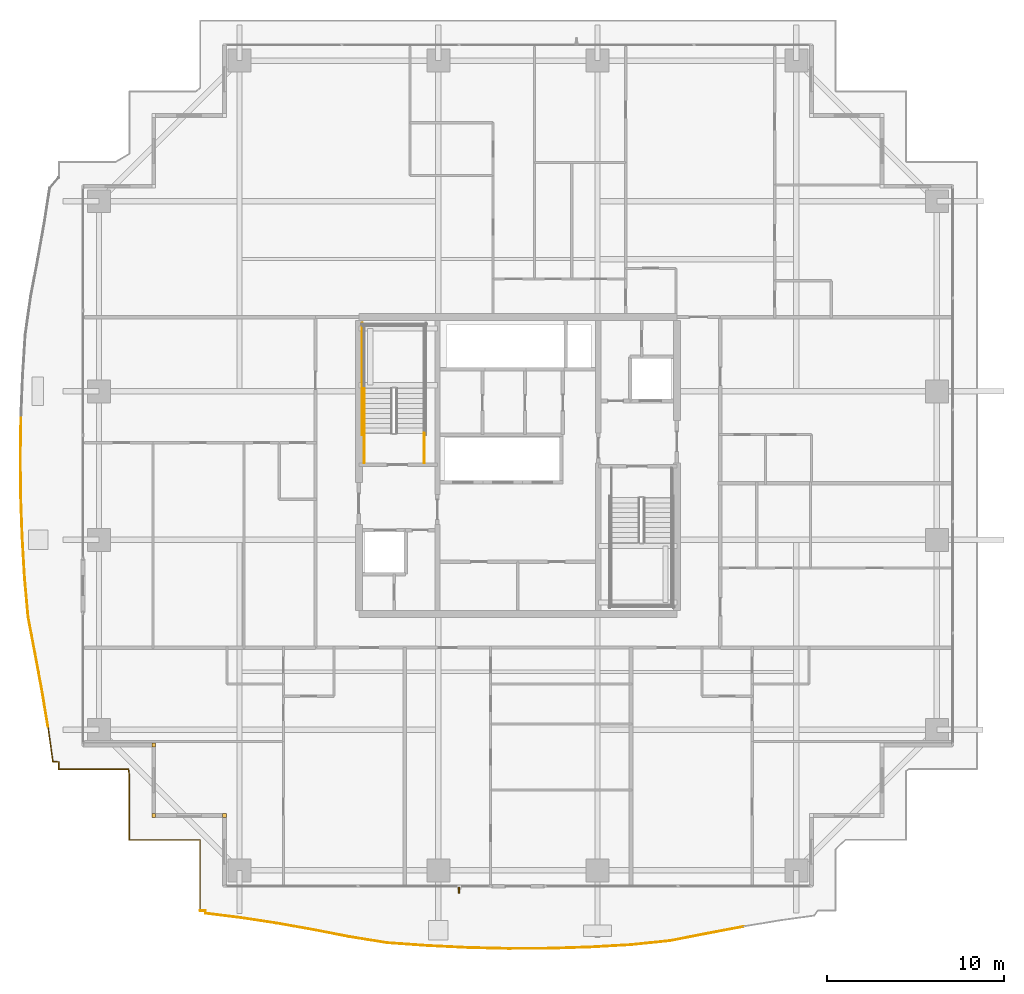
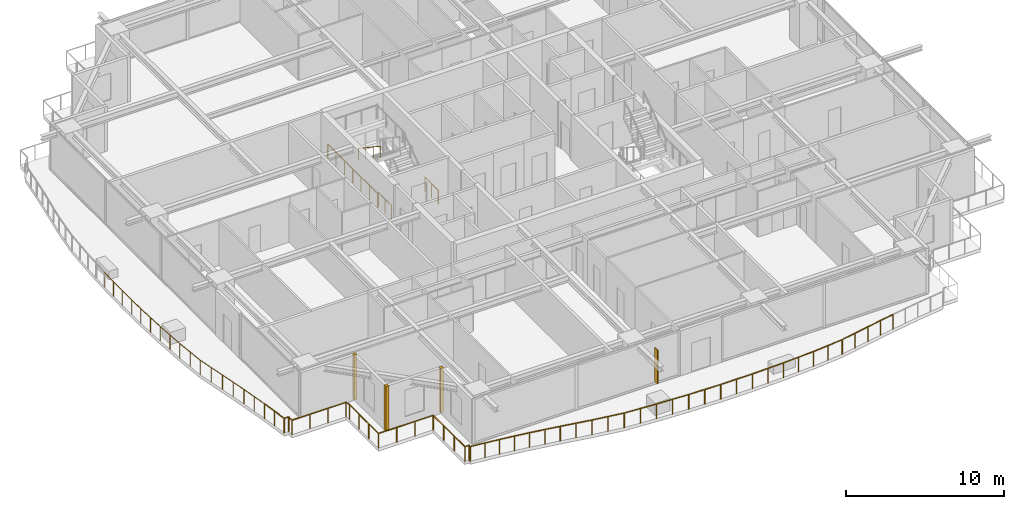
# One storey, part 30 of 35: 8 railings, 3 coverings, 1 shading device.
"""IFC4 building model written with IfcOpenShell, lengths in metres."""

from ifc_helpers import new_model, si_unit, direction, frame, origin, origin_2d, place, context, subcontext, project, spatial, rectangle, circle, extrude, source, transform, mapped, material, layer, layer_set, type_object, element, save


model = new_model("IFC4")

# Units and contexts
model_context = context("Model", 3, precision=1e-05, world=origin(), true_north=direction((0.0, 1.0)))
body_context = subcontext(model_context, "Body", "Model", "MODEL_VIEW")
ifc_project = project(units=[si_unit("LENGTHUNIT", "METRE"), si_unit("AREAUNIT", "SQUARE_METRE"), si_unit("VOLUMEUNIT", "CUBIC_METRE"), si_unit("PLANEANGLEUNIT", "RADIAN"), si_unit("MASSUNIT", "GRAM", prefix="KILO")], contexts=[model_context])

# Site, building, storey
site_placement = place(None, origin())
site = spatial("IfcSite", under=ifc_project, at=site_placement, CompositionType="ELEMENT")
building_placement = place(site_placement, origin())
building = spatial("IfcBuilding", under=site, at=building_placement, Name="Serunith Strait Residences", CompositionType="ELEMENT")
storey_placement = place(building_placement, frame((0.0, 0.0, 157.64990234375)))
storey = spatial("IfcBuildingStorey", under=building, at=storey_placement, Name="L39", CompositionType="ELEMENT", Elevation=157.64990234375)

# Railings
ifc_material_1 = material(Name="Stainless Steel & Laminated Glass Balustrade", Category="steel")
railing_type_1 = type_object("IfcRailingType", Name="RLG-BALC-1150", PredefinedType="BALUSTRADE", material=ifc_material_1)
railing_1_placement = place(storey_placement, frame((14.419921875, 0.02001953125, -0.0498046875)))
element("IfcRailing", 1, at=railing_1_placement, inside=storey, type_object=railing_type_1, Name="L39 Swirling Balcony Perimeter Balustrade 1", PredefinedType="BALUSTRADE", context=body_context, shape_type="SweptSolid", body=[
    extrude(circle(Radius=0.02392578125, at=origin_2d()), frame((0.0, 0.001953125, 1.1259765625), z_axis=(0.0, 1.0, 0.0), x_axis=(-1.0, 0.0, 0.0)), (0.0, 0.0, 1.0), 3.99609375),
    extrude(circle(Radius=0.02392578125, at=origin_2d()), frame((-0.001953125, 4.0, 1.1259765625), z_axis=(-1.0, 0.0, 0.0), x_axis=(0.0, -1.0, 0.0)), (0.0, 0.0, 1.0), 3.99609375),
    extrude(circle(Radius=0.02392578125, at=origin_2d()), frame((-4.0, 4.001953125, 1.1259765625), z_axis=(0.0, 1.0, 0.0), x_axis=(-1.0, 0.0, 0.0)), (0.0, 0.0, 1.0), 3.658935546875),
    extrude(circle(Radius=0.02392578125, at=origin_2d()), frame((-4.000244140625, 7.664794921875, 1.1259765625), z_axis=(-0.145432115304, 0.989368232681, 0.0), x_axis=(-0.989368232681, -0.145432115304, 0.0)), (0.0, 0.0, 1.0), 0.336669921875),
    extrude(circle(Radius=0.02392578125, at=origin_2d()), frame((-4.051513671875, 8.0, 1.1259765625), z_axis=(-1.0, 0.0, 0.0), x_axis=(0.0, -1.0, 0.0)), (0.0, 0.0, 1.0), 3.946533203125),
    extrude(circle(Radius=0.02392578125, at=origin_2d()), frame((-8.0, 8.001953125, 1.1259765625), z_axis=(0.0, 1.0, 0.0), x_axis=(-1.0, 0.0, 0.0)), (0.0, 0.0, 1.0), 0.40478515625),
    extrude(circle(Radius=0.02392578125, at=origin_2d()), frame((-8.001953125, 8.40869140625, 1.1259765625), z_axis=(-0.998376209742, 0.056964408364, 0.0), x_axis=(-0.056964408364, -0.998376209742, 0.0)), (0.0, 0.0, 1.0), 0.32177734375),
    extrude(circle(Radius=0.02392578125, at=origin_2d()), frame((-8.325439453125, 8.42919921875, 1.1259765625), z_axis=(-0.138325555221, 0.990386813711, 0.0), x_axis=(-0.990386813711, -0.138325555221, 0.0)), (0.0, 0.0, 1.0), 2.016845703125),
    extrude(circle(Radius=0.02099609375, at=origin_2d()), origin(), (0.0, 0.0, 1.0), 1.099853515625),
    extrude(circle(Radius=0.02099609375, at=origin_2d()), frame((0.0, 1.333251953125, 0.0)), (0.0, 0.0, 1.0), 1.099853515625),
    extrude(circle(Radius=0.02099609375, at=origin_2d()), frame((0.0, 2.666748046875, 0.0)), (0.0, 0.0, 1.0), 1.099853515625),
    extrude(circle(Radius=0.02099609375, at=origin_2d()), frame((0.0, 4.0, 0.0)), (0.0, 0.0, 1.0), 1.099853515625),
    extrude(circle(Radius=0.02099609375, at=origin_2d()), frame((-1.333251953125, 4.0, 0.0)), (0.0, 0.0, 1.0), 1.099853515625),
    extrude(circle(Radius=0.02099609375, at=origin_2d()), frame((-2.666748046875, 4.0, 0.0)), (0.0, 0.0, 1.0), 1.099853515625),
    extrude(circle(Radius=0.02099609375, at=origin_2d()), frame((-4.0, 4.0, 0.0)), (0.0, 0.0, 1.0), 1.099853515625),
    extrude(circle(Radius=0.02099609375, at=origin_2d()), frame((-4.0, 5.220947265625, 0.0)), (0.0, 0.0, 1.0), 1.099853515625),
    extrude(circle(Radius=0.02099609375, at=origin_2d()), frame((-4.0, 6.44189453125, 0.0)), (0.0, 0.0, 1.0), 1.099853515625),
    extrude(circle(Radius=0.02099609375, at=origin_2d()), frame((-4.0, 7.662841796875, 0.0)), (0.0, 0.0, 1.0), 1.099853515625),
    extrude(circle(Radius=0.02099609375, at=origin_2d()), frame((-4.049560546875, 8.0, 0.0)), (0.0, 0.0, 1.0), 1.099853515625),
    extrude(circle(Radius=0.02099609375, at=origin_2d()), frame((-5.366455078125, 8.0, 0.0)), (0.0, 0.0, 1.0), 1.099853515625),
    extrude(circle(Radius=0.02099609375, at=origin_2d()), frame((-6.68310546875, 8.0, 0.0)), (0.0, 0.0, 1.0), 1.099853515625),
    extrude(circle(Radius=0.02099609375, at=origin_2d()), frame((-8.0, 8.0, 0.0)), (0.0, 0.0, 1.0), 1.099853515625),
    extrude(circle(Radius=0.02099609375, at=origin_2d()), frame((-8.0, 8.40869140625, 0.0)), (0.0, 0.0, 1.0), 1.099853515625),
    extrude(circle(Radius=0.02099609375, at=origin_2d()), frame((-8.3251953125, 8.42724609375, 0.0)), (0.0, 0.0, 1.0), 1.099853515625),
    extrude(circle(Radius=0.02099609375, at=origin_2d()), frame((-8.46484375, 9.427978515625, 0.0)), (0.0, 0.0, 1.0), 1.099853515625),
    extrude(circle(Radius=0.02099609375, at=origin_2d()), frame((-8.604736328125, 10.4287109375, 0.0)), (0.0, 0.0, 1.0), 1.099853515625),
])
railing_2_placement = place(storey_placement, frame((5.815185546875, 10.44873046875, -0.0498046875)))
element("IfcRailing", 2, at=railing_2_placement, inside=storey, type_object=railing_type_1, Name="L39 Swirling Balcony Perimeter Balustrade 2", PredefinedType="BALUSTRADE", context=body_context, shape_type="SweptSolid", body=[
    extrude(circle(Radius=0.02392578125, at=origin_2d()), frame((-0.000244140625, 0.001953125, 1.1259765625), z_axis=(-0.163258739513, 0.986583287905, 0.0), x_axis=(-0.986583287905, -0.163258739513, 0.0)), (0.0, 0.0, 1.0), 2.044677734375),
    extrude(circle(Radius=0.02392578125, at=origin_2d()), frame((-0.334716796875, 2.023193359375, 1.1259765625), z_axis=(-0.181872027863, 0.983322208374, 0.0), x_axis=(-0.983322208374, -0.181872027863, 0.0)), (0.0, 0.0, 1.0), 2.0888671875),
    extrude(circle(Radius=0.02392578125, at=origin_2d()), frame((-0.715576171875, 4.0810546875, 1.1259765625), z_axis=(-0.187445791341, 0.982274948937, 0.0), x_axis=(-0.982274948937, -0.187445791341, 0.0)), (0.0, 0.0, 1.0), 2.147705078125),
    extrude(circle(Radius=0.02392578125, at=origin_2d()), frame((-1.11865234375, 6.194580078125, 1.1259765625), z_axis=(-0.089590012963, 0.99597872948, 0.0), x_axis=(-0.99597872948, -0.089590012963, 0.0)), (0.0, 0.0, 1.0), 2.23046875),
    extrude(circle(Radius=0.02392578125, at=origin_2d()), frame((-1.318603515625, 8.420166015625, 1.1259765625), z_axis=(-0.058344098265, 0.998296532198, 0.0), x_axis=(-0.998296532198, -0.058344098265, 0.0)), (0.0, 0.0, 1.0), 2.26806640625),
    extrude(circle(Radius=0.02392578125, at=origin_2d()), frame((-1.451171875, 10.6884765625, 1.1259765625), z_axis=(-0.035752256147, 0.999360683728, 0.0), x_axis=(-0.999360683728, -0.035752256147, 0.0)), (0.0, 0.0, 1.0), 2.29052734375),
    extrude(circle(Radius=0.02392578125, at=origin_2d()), frame((-1.533203125, 12.9814453125, 1.1259765625), z_axis=(-0.010164659095, 0.999948338518, 0.0), x_axis=(-0.999948338518, -0.010164659095, 0.0)), (0.0, 0.0, 1.0), 2.3017578125),
    extrude(circle(Radius=0.02392578125, at=origin_2d()), frame((-1.556640625, 15.287109375, 1.1259765625), z_axis=(0.016215802717, 0.999868515227, 0.0), x_axis=(-0.999868515227, 0.016215802717, 0.0)), (0.0, 0.0, 1.0), 2.299560546875),
    extrude(circle(Radius=0.02099609375, at=origin_2d()), origin(), (0.0, 0.0, 1.0), 1.099853515625),
    extrude(circle(Radius=0.02099609375, at=origin_2d()), frame((-0.167236328125, 1.0107421875, 0.0)), (0.0, 0.0, 1.0), 1.099853515625),
    extrude(circle(Radius=0.02099609375, at=origin_2d()), frame((-0.33447265625, 2.021240234375, 0.0)), (0.0, 0.0, 1.0), 1.099853515625),
    extrude(circle(Radius=0.02099609375, at=origin_2d()), frame((-0.52490234375, 3.05029296875, 0.0)), (0.0, 0.0, 1.0), 1.099853515625),
    extrude(circle(Radius=0.02099609375, at=origin_2d()), frame((-0.715087890625, 4.0791015625, 0.0)), (0.0, 0.0, 1.0), 1.099853515625),
    extrude(circle(Radius=0.02099609375, at=origin_2d()), frame((-0.916748046875, 5.1357421875, 0.0)), (0.0, 0.0, 1.0), 1.099853515625),
    extrude(circle(Radius=0.02099609375, at=origin_2d()), frame((-1.118408203125, 6.192626953125, 0.0)), (0.0, 0.0, 1.0), 1.099853515625),
    extrude(circle(Radius=0.02099609375, at=origin_2d()), frame((-1.218505859375, 7.305419921875, 0.0)), (0.0, 0.0, 1.0), 1.099853515625),
    extrude(circle(Radius=0.02099609375, at=origin_2d()), frame((-1.318603515625, 8.418212890625, 0.0)), (0.0, 0.0, 1.0), 1.099853515625),
    extrude(circle(Radius=0.02099609375, at=origin_2d()), frame((-1.384765625, 9.55224609375, 0.0)), (0.0, 0.0, 1.0), 1.099853515625),
    extrude(circle(Radius=0.02099609375, at=origin_2d()), frame((-1.451171875, 10.6865234375, 0.0)), (0.0, 0.0, 1.0), 1.099853515625),
    extrude(circle(Radius=0.02099609375, at=origin_2d()), frame((-1.4921875, 11.8330078125, 0.0)), (0.0, 0.0, 1.0), 1.099853515625),
    extrude(circle(Radius=0.02099609375, at=origin_2d()), frame((-1.533203125, 12.9794921875, 0.0)), (0.0, 0.0, 1.0), 1.099853515625),
    extrude(circle(Radius=0.02099609375, at=origin_2d()), frame((-1.544921875, 14.13232421875, 0.0)), (0.0, 0.0, 1.0), 1.099853515625),
    extrude(circle(Radius=0.02099609375, at=origin_2d()), frame((-1.556640625, 15.28515625, 0.0)), (0.0, 0.0, 1.0), 1.099853515625),
    extrude(circle(Radius=0.02099609375, at=origin_2d()), frame((-1.5380859375, 16.436767578125, 0.0)), (0.0, 0.0, 1.0), 1.099853515625),
    extrude(circle(Radius=0.02099609375, at=origin_2d()), frame((-1.519287109375, 17.58837890625, 0.0)), (0.0, 0.0, 1.0), 1.099853515625),
])
railing_3_placement = place(storey_placement, frame((45.150634765625, -0.8857421875, -0.0498046875)))
element("IfcRailing", 3, at=railing_3_placement, inside=storey, type_object=railing_type_1, Name="L39 Swirling Balcony Perimeter Balustrade 7", PredefinedType="BALUSTRADE", context=body_context, shape_type="SweptSolid", body=[
    extrude(circle(Radius=0.02392578125, at=origin_2d()), frame((-0.001953125, -0.00048828125, 1.1259765625), z_axis=(-0.98269055224, -0.185254631624, 0.0), x_axis=(0.185254631624, -0.98269055224, 0.0)), (0.0, 0.0, 1.0), 2.086181640625),
    extrude(circle(Radius=0.02392578125, at=origin_2d()), frame((-2.055908203125, -0.3876953125, 1.1259765625), z_axis=(-0.981367075543, -0.192142298935, 0.0), x_axis=(0.192142298935, -0.981367075543, 0.0)), (0.0, 0.0, 1.0), 2.147216796875),
    extrude(circle(Radius=0.02392578125, at=origin_2d()), frame((-4.1669921875, -0.80078125, 1.1259765625), z_axis=(-0.994754413244, -0.102292019887, 0.0), x_axis=(0.102292019887, -0.994754413244, 0.0)), (0.0, 0.0, 1.0), 2.232421875),
    extrude(circle(Radius=0.02392578125, at=origin_2d()), frame((-6.3916015625, -1.029296875, 1.1259765625), z_axis=(-0.998408900336, -0.056388542544, 0.0), x_axis=(0.056388542544, -0.998408900336, 0.0)), (0.0, 0.0, 1.0), 2.277587890625),
    extrude(circle(Radius=0.02392578125, at=origin_2d()), frame((-8.669677734375, -1.157958984375, 1.1259765625), z_axis=(-0.999495088124, -0.031773712667, 0.0), x_axis=(0.031773712667, -0.999495088124, 0.0)), (0.0, 0.0, 1.0), 2.301025390625),
    extrude(circle(Radius=0.02392578125, at=origin_2d()), frame((-10.9736328125, -1.231201171875, 1.1259765625), z_axis=(-0.999990649748, -0.004324397916, 0.0), x_axis=(0.004324397916, -0.999990649748, 0.0)), (0.0, 0.0, 1.0), 2.310791015625),
    extrude(circle(Radius=0.02392578125, at=origin_2d()), frame((-13.288330078125, -1.2412109375, 1.1259765625), z_axis=(-0.999727346537, 0.023350215978, 0.0), x_axis=(-0.023350215978, -0.999727346537, 0.0)), (0.0, 0.0, 1.0), 2.306640625),
    extrude(circle(Radius=0.02392578125, at=origin_2d()), frame((-15.598388671875, -1.187255859375, 1.1259765625), z_axis=(-0.99879916762, 0.048992068363, 0.0), x_axis=(-0.048992068363, -0.99879916762, 0.0)), (0.0, 0.0, 1.0), 2.288330078125),
    extrude(circle(Radius=0.02099609375, at=origin_2d()), origin(), (0.0, 0.0, 1.0), 1.099853515625),
    extrude(circle(Radius=0.02099609375, at=origin_2d()), frame((-1.02685546875, -0.193603515625, 0.0)), (0.0, 0.0, 1.0), 1.099853515625),
    extrude(circle(Radius=0.02099609375, at=origin_2d()), frame((-2.053955078125, -0.38720703125, 0.0)), (0.0, 0.0, 1.0), 1.099853515625),
    extrude(circle(Radius=0.02099609375, at=origin_2d()), frame((-3.109375, -0.59375, 0.0)), (0.0, 0.0, 1.0), 1.099853515625),
    extrude(circle(Radius=0.02099609375, at=origin_2d()), frame((-4.1650390625, -0.800537109375, 0.0)), (0.0, 0.0, 1.0), 1.099853515625),
    extrude(circle(Radius=0.02099609375, at=origin_2d()), frame((-5.27734375, -0.9150390625, 0.0)), (0.0, 0.0, 1.0), 1.099853515625),
    extrude(circle(Radius=0.02099609375, at=origin_2d()), frame((-6.3896484375, -1.029296875, 0.0)), (0.0, 0.0, 1.0), 1.099853515625),
    extrude(circle(Radius=0.02099609375, at=origin_2d()), frame((-7.52880859375, -1.09375, 0.0)), (0.0, 0.0, 1.0), 1.099853515625),
    extrude(circle(Radius=0.02099609375, at=origin_2d()), frame((-8.667724609375, -1.157958984375, 0.0)), (0.0, 0.0, 1.0), 1.099853515625),
    extrude(circle(Radius=0.02099609375, at=origin_2d()), frame((-9.81982421875, -1.194580078125, 0.0)), (0.0, 0.0, 1.0), 1.099853515625),
    extrude(circle(Radius=0.02099609375, at=origin_2d()), frame((-10.9716796875, -1.231201171875, 0.0)), (0.0, 0.0, 1.0), 1.099853515625),
    extrude(circle(Radius=0.02099609375, at=origin_2d()), frame((-12.12890625, -1.236328125, 0.0)), (0.0, 0.0, 1.0), 1.099853515625),
    extrude(circle(Radius=0.02099609375, at=origin_2d()), frame((-13.286376953125, -1.2412109375, 0.0)), (0.0, 0.0, 1.0), 1.099853515625),
    extrude(circle(Radius=0.02099609375, at=origin_2d()), frame((-14.44140625, -1.21435546875, 0.0)), (0.0, 0.0, 1.0), 1.099853515625),
    extrude(circle(Radius=0.02099609375, at=origin_2d()), frame((-15.596435546875, -1.187255859375, 0.0)), (0.0, 0.0, 1.0), 1.099853515625),
    extrude(circle(Radius=0.02099609375, at=origin_2d()), frame((-16.7412109375, -1.131103515625, 0.0)), (0.0, 0.0, 1.0), 1.099853515625),
    extrude(circle(Radius=0.02099609375, at=origin_2d()), frame((-17.885986328125, -1.074951171875, 0.0)), (0.0, 0.0, 1.0), 1.099853515625),
])
railing_4_placement = place(storey_placement, frame((27.2646484375, -1.960693359375, -0.0498046875)))
element("IfcRailing", 4, at=railing_4_placement, inside=storey, type_object=railing_type_1, Name="L39 Swirling Balcony Perimeter Balustrade 8", PredefinedType="BALUSTRADE", context=body_context, shape_type="SweptSolid", body=[
    extrude(circle(Radius=0.02392578125, at=origin_2d()), frame((-0.001953125, 0.000244140625, 1.1259765625), z_axis=(-0.99750122714, 0.07064914617, 0.0), x_axis=(-0.07064914617, -0.99750122714, 0.0)), (0.0, 0.0, 1.0), 2.259521484375),
    extrude(circle(Radius=0.02392578125, at=origin_2d()), frame((-2.259765625, 0.16015625, 1.1259765625), z_axis=(-0.987218504401, 0.159372596669, 0.0), x_axis=(-0.159372596669, -0.987218504401, 0.0)), (0.0, 0.0, 1.0), 2.1865234375),
    extrude(circle(Radius=0.02392578125, at=origin_2d()), frame((-4.42236328125, 0.509521484375, 1.1259765625), z_axis=(-0.981638776346, 0.190749345409, 0.0), x_axis=(-0.190749345409, -0.981638776346, 0.0)), (0.0, 0.0, 1.0), 2.1142578125),
    extrude(circle(Radius=0.02392578125, at=origin_2d()), frame((-6.501708984375, 0.913330078125, 1.1259765625), z_axis=(-0.984480884216, 0.175491847709, 0.0), x_axis=(-0.175491847709, -0.984480884216, 0.0)), (0.0, 0.0, 1.0), 2.060546875),
    extrude(circle(Radius=0.02392578125, at=origin_2d()), frame((-8.5341796875, 1.275634765625, 1.1259765625), z_axis=(-0.988572501058, 0.150746177903, 0.0), x_axis=(-0.150746177903, -0.988572501058, 0.0)), (0.0, 0.0, 1.0), 2.025390625),
    extrude(circle(Radius=0.02392578125, at=origin_2d()), frame((-10.540283203125, 1.58154296875, 1.1259765625), z_axis=(-0.992419219543, 0.122898709028, 0.0), x_axis=(-0.122898709028, -0.992419219543, 0.0)), (0.0, 0.0, 1.0), 2.00634765625),
    extrude(circle(Radius=0.02392578125, at=origin_2d()), frame((-12.533447265625, 1.830322265625, 1.1259765625), z_axis=(0.008012563292, 0.9999678989, 0.0), x_axis=(-0.9999678989, 0.008012563292, 0.0)), (0.0, 0.0, 1.0), 0.1484375),
    extrude(circle(Radius=0.02392578125, at=origin_2d()), frame((-12.5341796875, 1.980712890625, 1.1259765625), z_axis=(-1.0, 0.0, 0.0), x_axis=(0.0, -1.0, 0.0)), (0.0, 0.0, 1.0), 0.30859375),
    extrude(circle(Radius=0.02099609375, at=origin_2d()), origin(), (0.0, 0.0, 1.0), 1.099853515625),
    extrude(circle(Radius=0.02099609375, at=origin_2d()), frame((-1.12890625, 0.080078125, 0.0)), (0.0, 0.0, 1.0), 1.099853515625),
    extrude(circle(Radius=0.02099609375, at=origin_2d()), frame((-2.2578125, 0.159912109375, 0.0)), (0.0, 0.0, 1.0), 1.099853515625),
    extrude(circle(Radius=0.02099609375, at=origin_2d()), frame((-3.339111328125, 0.33447265625, 0.0)), (0.0, 0.0, 1.0), 1.099853515625),
    extrude(circle(Radius=0.02099609375, at=origin_2d()), frame((-4.42041015625, 0.509033203125, 0.0)), (0.0, 0.0, 1.0), 1.099853515625),
    extrude(circle(Radius=0.02099609375, at=origin_2d()), frame((-5.4599609375, 0.7109375, 0.0)), (0.0, 0.0, 1.0), 1.099853515625),
    extrude(circle(Radius=0.02099609375, at=origin_2d()), frame((-6.499755859375, 0.9130859375, 0.0)), (0.0, 0.0, 1.0), 1.099853515625),
    extrude(circle(Radius=0.02099609375, at=origin_2d()), frame((-7.51611328125, 1.09423828125, 0.0)), (0.0, 0.0, 1.0), 1.099853515625),
    extrude(circle(Radius=0.02099609375, at=origin_2d()), frame((-8.5322265625, 1.275390625, 0.0)), (0.0, 0.0, 1.0), 1.099853515625),
    extrude(circle(Radius=0.02099609375, at=origin_2d()), frame((-9.53515625, 1.42822265625, 0.0)), (0.0, 0.0, 1.0), 1.099853515625),
    extrude(circle(Radius=0.02099609375, at=origin_2d()), frame((-10.538330078125, 1.581298828125, 0.0)), (0.0, 0.0, 1.0), 1.099853515625),
    extrude(circle(Radius=0.02099609375, at=origin_2d()), frame((-11.535888671875, 1.704833984375, 0.0)), (0.0, 0.0, 1.0), 1.099853515625),
    extrude(circle(Radius=0.02099609375, at=origin_2d()), frame((-12.533447265625, 1.828369140625, 0.0)), (0.0, 0.0, 1.0), 1.099853515625),
    extrude(circle(Radius=0.02099609375, at=origin_2d()), frame((-12.5322265625, 1.980712890625, 0.0)), (0.0, 0.0, 1.0), 1.099853515625),
    extrude(circle(Radius=0.02099609375, at=origin_2d()), frame((-12.8447265625, 1.980712890625, 0.0)), (0.0, 0.0, 1.0), 1.099853515625),
])
ifc_material_2 = material(Name="Brushed stainless steel 316L", Category="steel")
railing_type_2 = type_object("IfcRailingType", Name="RLG-STAIR-GUARD", PredefinedType="BALUSTRADE", material=ifc_material_2)
for number, where, name in (
    (5, (27.10009765625, 25.35009765625, 0.0), "L39 ST-1 stair guard 8"),
    (6, (23.699951171875, 25.35009765625, 0.0), "L39 ST-1 stair guard 9"),
):
    element("IfcRailing", number, at=place(storey_placement, frame(where)), inside=storey, type_object=railing_type_2, Name=name, PredefinedType="BALUSTRADE", context=body_context, shape_type="SweptSolid", body=[
        extrude(circle(Radius=0.02392578125, at=origin_2d()), frame((0.0, 0.001953125, 1.076171875), z_axis=(0.0, 1.0, 0.0), x_axis=(-1.0, 0.0, 0.0)), (0.0, 0.0, 1.0), 1.676025390625),
        extrude(circle(Radius=0.02099609375, at=origin_2d()), origin(), (0.0, 0.0, 1.0), 1.050048828125),
        extrude(circle(Radius=0.02099609375, at=origin_2d()), frame((0.0, 0.83984375, 0.0)), (0.0, 0.0, 1.0), 1.050048828125),
        extrude(circle(Radius=0.02099609375, at=origin_2d()), frame((0.0, 1.679931640625, 0.0)), (0.0, 0.0, 1.0), 1.050048828125),
    ])
railing_5_placement = place(storey_placement, frame((23.60009765625, 26.929931640625, 0.0)))
element("IfcRailing", 7, at=railing_5_placement, inside=storey, type_object=railing_type_2, Name="L39 ST-1 stair guard 11", PredefinedType="BALUSTRADE", context=body_context, shape_type="SweptSolid", body=[
    extrude(circle(Radius=0.02392578125, at=origin_2d()), frame((0.0, 0.001953125, 1.076171875), z_axis=(0.0, 1.0, 0.0), x_axis=(-1.0, 0.0, 0.0)), (0.0, 0.0, 1.0), 6.316162109375),
    extrude(circle(Radius=0.02099609375, at=origin_2d()), origin(), (0.0, 0.0, 1.0), 1.050048828125),
    extrude(circle(Radius=0.02099609375, at=origin_2d()), frame((0.0, 1.05322265625, 0.0)), (0.0, 0.0, 1.0), 1.050048828125),
    extrude(circle(Radius=0.02099609375, at=origin_2d()), frame((0.0, 2.106689453125, 0.0)), (0.0, 0.0, 1.0), 1.050048828125),
    extrude(circle(Radius=0.02099609375, at=origin_2d()), frame((0.0, 3.16015625, 0.0)), (0.0, 0.0, 1.0), 1.050048828125),
    extrude(circle(Radius=0.02099609375, at=origin_2d()), frame((0.0, 4.21337890625, 0.0)), (0.0, 0.0, 1.0), 1.050048828125),
    extrude(circle(Radius=0.02099609375, at=origin_2d()), frame((0.0, 5.2666015625, 0.0)), (0.0, 0.0, 1.0), 1.050048828125),
    extrude(circle(Radius=0.02099609375, at=origin_2d()), frame((0.0, 6.320068359375, 0.0)), (0.0, 0.0, 1.0), 1.050048828125),
])
railing_type_3 = type_object("IfcRailingType", Name="RLG-STAIR-HR", PredefinedType="HANDRAIL", material=ifc_material_2)
railing_6_placement = place(storey_placement, frame((23.699951171875, 29.550048828125, 2.0625)))
element("IfcRailing", 8, at=railing_6_placement, inside=storey, type_object=railing_type_3, Name="L39 ST-1 stair handrail 2", PredefinedType="HANDRAIL", context=body_context, shape_type="SweptSolid", body=[
    extrude(circle(Radius=0.02392578125, at=origin_2d()), frame((0.0, -0.001708984375, 0.876953125), z_axis=(0.0, -0.830208209119, 0.557453432594), x_axis=(1.0, 0.0, 0.0)), (0.0, 0.0, 1.0), 3.36865234375),
    extrude(circle(Radius=0.02099609375, at=origin_2d()), origin(), (0.0, 0.0, 1.0), 0.849853515625),
    extrude(circle(Radius=0.02099609375, at=origin_2d()), frame((0.0, -0.933349609375, 0.626708984375)), (0.0, 0.0, 1.0), 0.849853515625),
    extrude(circle(Radius=0.02099609375, at=origin_2d()), frame((0.0, -1.86669921875, 1.25341796875)), (0.0, 0.0, 1.0), 0.849853515625),
    extrude(circle(Radius=0.02099609375, at=origin_2d()), frame((0.0, -2.800048828125, 1.880126953125)), (0.0, 0.0, 1.0), 0.849853515625),
])

# Coverings
ifc_material_3 = material(Name="Pale-Champagne Anodised Aluminium", Category="aluminium")
ifc_layer = layer(ifc_material_3, 0.219970703125, Name="Pale-Champagne Anodised Aluminium")
ifc_layer_set = layer_set([ifc_layer], Name="Pale-Champagne Anodised Aluminium")
covering_type = type_object("IfcCoveringType", Name="COV-CORN-TRIM", PredefinedType="CLADDING", material=ifc_layer_set)
shared_shape_1 = source(origin(), body_context, "Body", "SweptSolid", [
    extrude(rectangle(XDim=0.221923828125, YDim=0.221923828125, at=origin_2d()), origin(), (0.0, 0.0, 1.0), 3.47509765625),
])
for number, where, z_axis, x_axis, name in (
    (9, (11.800048828125, 9.39990234375, 0.0), (0.0, 0.0, 1.0), (1.0, 0.0, 0.0), "L39 Girih Serrated Corner Trim Post 17"),
    (10, (11.800048828125, 5.39990234375, 0.0), (0.0, 0.0, 1.0), (1.0, 0.0, 0.0), "L39 Girih Serrated Corner Trim Post 18"),
    (11, (15.800048828125, 5.39990234375, 0.0), (0.0, 0.0, 1.0), (1.0, 0.0, 0.0), "L39 Girih Serrated Corner Trim Post 19"),
):
    element("IfcCovering", number, at=place(storey_placement, frame(where, z_axis=z_axis, x_axis=x_axis)), inside=storey, type_object=covering_type, Name=name, PredefinedType="CLADDING", context=body_context, shape_type="MappedRepresentation", body=[
        mapped(shared_shape_1, transform((0.0, 0.0, 0.0), scale=1.0)),
    ])

# Shading device
ifc_material_4 = material(Name="Pale-Champagne Perforated Aluminium Fin", Category="aluminium")
shading_device_type = type_object("IfcShadingDeviceType", Name="SHD-DIAG-FIN", PredefinedType="AWNING", material=ifc_material_4)
shared_shape_2 = source(origin(), body_context, "Body", "SweptSolid", [
    extrude(rectangle(XDim=0.080078125, YDim=0.35009765625, at=origin_2d()), origin(), (0.0, 0.0, 1.0), 2.60009765625),
])
shading_device_placement = place(storey_placement, frame((29.080078125, 1.179931640625, 0.199951171875), z_axis=(0.0, 0.0, 1.0), x_axis=(1.0, 0.0, 0.0)))
element("IfcShadingDevice", 12, at=shading_device_placement, inside=storey, type_object=shading_device_type, Name="L39 Diagonal Rhythm Solar Fin S", PredefinedType="AWNING", context=body_context, shape_type="MappedRepresentation", body=[
    mapped(shared_shape_2, transform((0.0, 0.0, 0.0), scale=1.0)),
])

save(model, "model.ifc")
